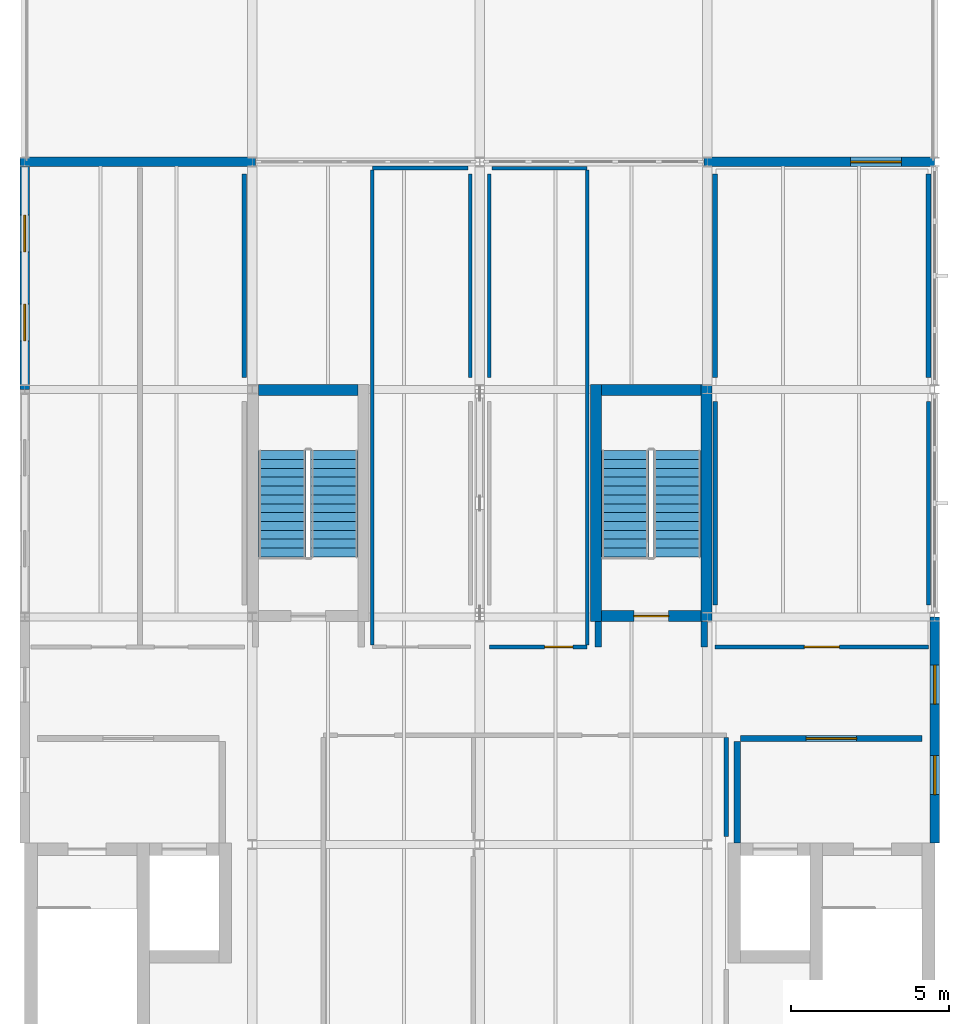
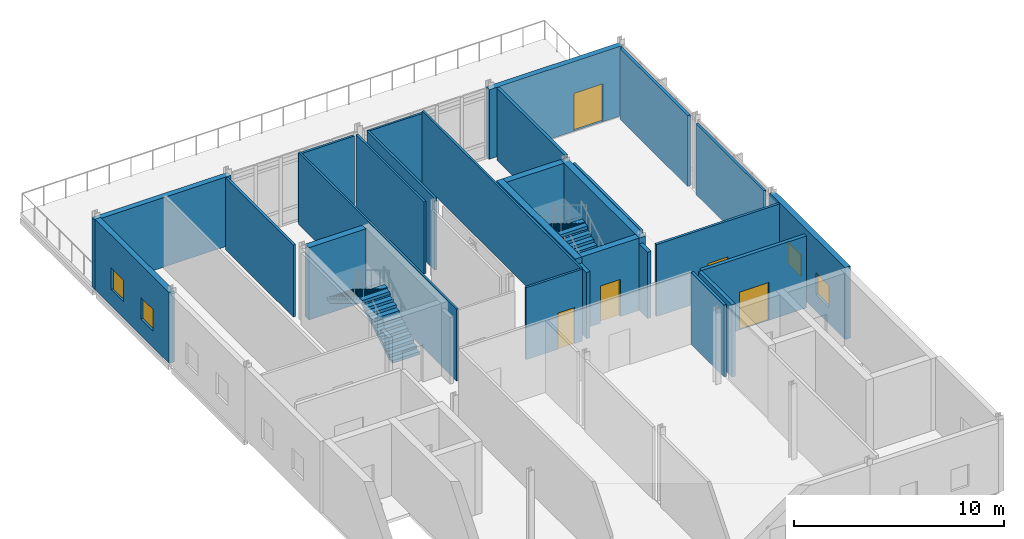
# One storey, part 9 of 12: 27 walls, 5 doors, 4 stair flights, 4 windows, 9 openings, 2 elements without a shape of their own.
"""IFC4 building model written with IfcOpenShell, lengths in metres."""

from ifc_helpers import new_model, si_unit, direction, frame, frame_2d, origin, place, context, subcontext, project, spatial, polyline, rectangle, outline, extrude, material, layer, layer_set, type_object, element, fill, aggregate, save


model = new_model("IFC4")

# Units and contexts
model_context = context("Model", 3, precision=1e-05, world=origin(), true_north=direction((0.0, 1.0)))
body_context = subcontext(model_context, "Body", "Model", "MODEL_VIEW")
ifc_project = project(units=[si_unit("LENGTHUNIT", "METRE"), si_unit("AREAUNIT", "SQUARE_METRE"), si_unit("VOLUMEUNIT", "CUBIC_METRE"), si_unit("PLANEANGLEUNIT", "RADIAN"), si_unit("MASSUNIT", "GRAM", prefix="KILO")], contexts=[model_context])

# Site, building, storey
site_placement = place(None, origin())
site = spatial("IfcSite", under=ifc_project, at=site_placement, CompositionType="ELEMENT")
building_placement = place(site_placement, origin())
building = spatial("IfcBuilding", under=site, at=building_placement, Name="Zarrinpeak Specialist Clinic", CompositionType="ELEMENT")
storey_placement = place(building_placement, frame((0.0, 0.0, 27.199951171875)))
storey = spatial("IfcBuildingStorey", under=building, at=storey_placement, Name="L06", CompositionType="ELEMENT", Elevation=27.199951171875)

# Wall
ifc_material_1 = material(Name="Concrete C40/50", Category="concrete")
ifc_layer_1 = layer(ifc_material_1, 0.35009765625)
ifc_layer_set_1 = layer_set([ifc_layer_1], Name="Concrete C40/50")
wall_type_1 = type_object("IfcWallType", Name="WL-CR350", PredefinedType="SHEAR", material=ifc_layer_set_1)
wall_1_placement = place(storey_placement, frame((7.39990234375, 28.77490234375, 0.0), z_axis=(0.0, 0.0, 1.0), x_axis=(1.0, 0.0, 0.0)))
element("IfcWall", 1, at=wall_1_placement, inside=storey, type_object=wall_type_1, Name="L06 Attic Stair ST-13 Shaft Wall STN", PredefinedType="SHEAR", context=body_context, shape_type="SweptSolid", body=[
    extrude(rectangle(XDim=3.150146484375, YDim=0.35009765625, at=frame_2d((1.5751953125, 0.0))), origin(), (0.0, 0.0, 1.0), 4.199951171875),
])

# Wall, opening, door
wall_2_placement = place(storey_placement, frame((18.25, 21.625, 0.0), z_axis=(0.0, 0.0, 1.0), x_axis=(1.0, 0.0, 0.0)))
wall_2 = element("IfcWall", 2, at=wall_2_placement, inside=storey, type_object=wall_type_1, Name="L06 Attic Stair ST-14 Shaft Wall STS", PredefinedType="SHEAR", context=body_context, shape_type="SweptSolid", body=[
    extrude(rectangle(XDim=3.14990234375, YDim=0.35009765625, at=frame_2d((1.574951171875, 0.0))), origin(), (0.0, 0.0, 1.0), 4.199951171875),
])
opening_1_placement = place(wall_2_placement, frame((1.02490234375, 0.0, 0.0)))
opening_1 = element("IfcOpeningElement", 3, at=opening_1_placement, cuts=wall_2, Name="Opening D-S02", PredefinedType="OPENING", context=body_context, shape_type="SweptSolid", body=[
    extrude(rectangle(XDim=1.10009765625, YDim=2.14990234375, at=frame_2d((0.550048828125, 1.074951171875))), frame((0.0, 0.18505859375, 0.0), z_axis=(0.0, -1.0, 0.0), x_axis=(1.0, 0.0, 0.0)), (0.0, 0.0, 1.0), 0.3701171875),
])
ifc_material_2 = material(Name="Powder-Coated Galvanised Steel", Category="steel")
door_type_1 = type_object("IfcDoorType", Name="DR-FD110", OperationType="SINGLE_SWING_RIGHT", PredefinedType="DOOR", material=ifc_material_2)
door_1_placement = place(opening_1_placement, frame((1.10009765625, 0.0, 0.0), z_axis=(0.0, 0.0, 1.0), x_axis=(-1.0, 0.0, 0.0)))
door_1 = element("IfcDoor", 4, at=door_1_placement, inside=storey, type_object=door_type_1, Name="L06 Protected Attic Exit Stair ST-14 Fire Door", OperationType="SINGLE_SWING_RIGHT", OverallHeight=2.14990234375, OverallWidth=1.10009765625, PredefinedType="DOOR", context=body_context, shape_type="SweptSolid", body=[
    extrude(rectangle(XDim=1.10009765625, YDim=2.14990234375, at=frame_2d((0.550048828125, 1.074951171875))), frame((0.0, 0.02490234375, 0.0), z_axis=(0.0, -1.0, 0.0), x_axis=(1.0, 0.0, 0.0)), (0.0, 0.0, 1.0), 0.050048828125),
])
fill(opening_1, door_1)

# Walls
wall_3_placement = place(storey_placement, frame((18.25, 28.77490234375, 0.0), z_axis=(0.0, 0.0, 1.0), x_axis=(1.0, 0.0, 0.0)))
element("IfcWall", 5, at=wall_3_placement, inside=storey, type_object=wall_type_1, Name="L06 Attic Stair ST-14 Shaft Wall STN", PredefinedType="SHEAR", context=body_context, shape_type="SweptSolid", body=[
    extrude(rectangle(XDim=3.14990234375, YDim=0.35009765625, at=frame_2d((1.574951171875, 0.0))), origin(), (0.0, 0.0, 1.0), 4.199951171875),
])
for number, where, z_axis, x_axis, name in (
    (6, (18.074951171875, 21.449951171875, 0.0), (0.0, 0.0, 1.0), (0.0, 1.0, 0.0), "L06 Attic Stair ST-14 Shaft Wall STW"),
    (7, (21.574951171875, 21.449951171875, 0.0), (0.0, 0.0, 1.0), (0.0, 1.0, 0.0), "L06 Attic Stair ST-14 Shaft Wall STE"),
):
    element("IfcWall", number, at=place(storey_placement, frame(where, z_axis=z_axis, x_axis=x_axis)), inside=storey, type_object=wall_type_1, Name=name, PredefinedType="SHEAR", context=body_context, shape_type="SweptSolid", body=[
        extrude(rectangle(XDim=7.5, YDim=0.35009765625, at=frame_2d((3.75, 0.0))), origin(), (0.0, 0.0, 1.0), 4.199951171875),
    ])
ifc_material_3 = material(Name="Precast concrete C40/50", Category="concrete")
ifc_layer_2 = layer(ifc_material_3, 0.300048828125)
ifc_layer_set_2 = layer_set([ifc_layer_2], Name="Precast concrete C40/50")
wall_type_2 = type_object("IfcWallType", Name="WL-EW300", PredefinedType="STANDARD", material=ifc_layer_set_2)
wall_4_placement = place(storey_placement, frame((7.31005859375, 36.0, 0.0), z_axis=(0.0, 0.0, 1.0), x_axis=(-1.0, 0.0, 0.0)))
element("IfcWall", 8, at=wall_4_placement, inside=storey, type_object=wall_type_2, Name="L06 V1 Exterior GRC Wall EW-L06-V1-0088", PredefinedType="STANDARD", context=body_context, shape_type="SweptSolid", body=[
    extrude(rectangle(XDim=7.4599609375, YDim=0.300048828125, at=frame_2d((3.72998046875, 0.0))), origin(), (0.0, 0.0, 1.0), 4.03515625),
])

# Wall, opening, door
wall_5_placement = place(storey_placement, frame((28.800048828125, 36.0, 0.0), z_axis=(0.0, 0.0, 1.0), x_axis=(-1.0, 0.0, 0.0)))
wall_5 = element("IfcWall", 9, at=wall_5_placement, inside=storey, type_object=wall_type_2, Name="L06 V1 Exterior GRC Wall EW-L06-V1-0089", PredefinedType="STANDARD", context=body_context, shape_type="SweptSolid", body=[
    extrude(rectangle(XDim=7.31005859375, YDim=0.300048828125, at=frame_2d((3.655029296875, 0.0))), origin(), (0.0, 0.0, 1.0), 4.03515625),
])
opening_2_placement = place(wall_5_placement, frame((1.06201171875, 0.0, 0.0)))
opening_2 = element("IfcOpeningElement", 10, at=opening_2_placement, cuts=wall_5, Name="Opening D-TR2", PredefinedType="OPENING", context=body_context, shape_type="SweptSolid", body=[
    extrude(rectangle(XDim=1.60009765625, YDim=2.199951171875, at=frame_2d((0.800048828125, 1.10009765625))), frame((0.0, 0.16015625, 0.0), z_axis=(0.0, -1.0, 0.0), x_axis=(1.0, 0.0, 0.0)), (0.0, 0.0, 1.0), 0.320068359375),
])
ifc_material_4 = material(Name="Powder-Coated Steel and Safety Glazing", Category="steel")
door_type_2 = type_object("IfcDoorType", Name="DR-TER160", OperationType="DOUBLE_DOOR_SINGLE_SWING", PredefinedType="DOOR", material=ifc_material_4)
door_2_placement = place(opening_2_placement, origin())
door_2 = element("IfcDoor", 11, at=door_2_placement, inside=storey, type_object=door_type_2, Name="L06 V1 Healing Terrace Access Door TD-02", OperationType="DOUBLE_DOOR_SINGLE_SWING", OverallHeight=2.199951171875, OverallWidth=1.60009765625, PredefinedType="DOOR", context=body_context, shape_type="SweptSolid", body=[
    extrude(rectangle(XDim=1.60009765625, YDim=2.199951171875, at=frame_2d((0.800048828125, 1.10009765625))), frame((0.0, 0.02490234375, 0.0), z_axis=(0.0, -1.0, 0.0), x_axis=(1.0, 0.0, 0.0)), (0.0, 0.0, 1.0), 0.050048828125),
])
fill(opening_2, door_2)

# Wall, openings, windows
wall_6_placement = place(storey_placement, frame((0.0, 35.85009765625, 0.0), z_axis=(0.0, 0.0, 1.0), x_axis=(0.0, -1.0, 0.0)))
wall_6 = element("IfcWall", 12, at=wall_6_placement, inside=storey, type_object=wall_type_2, Name="L06 V1 Exterior GRC Wall EW-L06-V1-0093", PredefinedType="STANDARD", context=body_context, shape_type="SweptSolid", body=[
    extrude(rectangle(XDim=7.050048828125, YDim=0.300048828125, at=frame_2d((3.52490234375, 0.0))), origin(), (0.0, 0.0, 1.0), 4.110107421875),
])
opening_3_placement = place(wall_6_placement, frame((1.531982421875, 0.0, 0.949951171875)))
opening_3 = element("IfcOpeningElement", 13, at=opening_3_placement, cuts=wall_6, Name="Opening WS-10", PredefinedType="OPENING", context=body_context, shape_type="SweptSolid", body=[
    extrude(rectangle(XDim=1.166015625, YDim=1.260009765625, at=frame_2d((0.5830078125, 0.6298828125))), frame((0.0, 0.16015625, 0.0), z_axis=(0.0, -1.0, 0.0), x_axis=(1.0, 0.0, 0.0)), (0.0, 0.0, 1.0), 0.320068359375),
])
opening_4_placement = place(wall_6_placement, frame((4.35205078125, 0.0, 0.949951171875)))
opening_4 = element("IfcOpeningElement", 14, at=opening_4_placement, cuts=wall_6, Name="Opening WS-10", PredefinedType="OPENING", context=body_context, shape_type="SweptSolid", body=[
    extrude(rectangle(XDim=1.166015625, YDim=1.260009765625, at=frame_2d((0.5830078125, 0.6298828125))), frame((0.0, 0.16015625, 0.0), z_axis=(0.0, -1.0, 0.0), x_axis=(1.0, 0.0, 0.0)), (0.0, 0.0, 1.0), 0.320068359375),
])
ifc_material_5 = material(Name="Thermally Broken Aluminium and Low-E Glazing", Category="aluminium")
window_type_1 = type_object("IfcWindowType", Name="WN-SP10", PartitioningType="SINGLE_PANEL", PredefinedType="WINDOW", material=ifc_material_5)
window_1_placement = place(opening_3_placement, origin())
window_1 = element("IfcWindow", 15, at=window_1_placement, inside=storey, type_object=window_type_1, Name="L06 Modular Facade Window WN-L06-0133", OverallHeight=1.260009765625, OverallWidth=1.166015625, PartitioningType="SINGLE_PANEL", PredefinedType="WINDOW", context=body_context, shape_type="SweptSolid", body=[
    extrude(rectangle(XDim=1.166015625, YDim=1.260009765625, at=frame_2d((0.5830078125, 0.6298828125))), frame((0.0, 0.030029296875, 0.0), z_axis=(0.0, -1.0, 0.0), x_axis=(1.0, 0.0, 0.0)), (0.0, 0.0, 1.0), 0.06005859375),
])
fill(opening_3, window_1)
window_2_placement = place(opening_4_placement, origin())
window_2 = element("IfcWindow", 16, at=window_2_placement, inside=storey, type_object=window_type_1, Name="L06 Modular Facade Window WN-L06-0134", OverallHeight=1.260009765625, OverallWidth=1.166015625, PartitioningType="SINGLE_PANEL", PredefinedType="WINDOW", context=body_context, shape_type="SweptSolid", body=[
    extrude(rectangle(XDim=1.166015625, YDim=1.260009765625, at=frame_2d((0.5830078125, 0.6298828125))), frame((0.0, 0.030029296875, 0.0), z_axis=(0.0, -1.0, 0.0), x_axis=(1.0, 0.0, 0.0)), (0.0, 0.0, 1.0), 0.06005859375),
])
fill(opening_4, window_2)

wall_7_placement = place(storey_placement, frame((28.800048828125, 14.449951171875, 0.0), z_axis=(0.0, 0.0, 1.0), x_axis=(0.0, 1.0, 0.0)))
wall_7 = element("IfcWall", 17, at=wall_7_placement, inside=storey, type_object=wall_type_2, Name="L06 V1 Exterior GRC Wall EW-L06-V1-0095", PredefinedType="STANDARD", context=body_context, shape_type="SweptSolid", body=[
    extrude(rectangle(XDim=7.150146484375, YDim=0.300048828125, at=frame_2d((3.5751953125, 0.0))), origin(), (0.0, 0.0, 1.0), 4.179931640625),
])
opening_5_placement = place(wall_7_placement, frame((1.528076171875, 0.0, 0.949951171875)))
opening_5 = element("IfcOpeningElement", 18, at=opening_5_placement, cuts=wall_7, Name="Opening WS-12", PredefinedType="OPENING", context=body_context, shape_type="SweptSolid", body=[
    extrude(rectangle(XDim=1.23388671875, YDim=1.260009765625, at=frame_2d((0.616943359375, 0.6298828125))), frame((0.0, 0.16015625, 0.0), z_axis=(0.0, -1.0, 0.0), x_axis=(1.0, 0.0, 0.0)), (0.0, 0.0, 1.0), 0.320068359375),
])
opening_6_placement = place(wall_7_placement, frame((4.387939453125, 0.0, 0.949951171875)))
opening_6 = element("IfcOpeningElement", 19, at=opening_6_placement, cuts=wall_7, Name="Opening WS-12", PredefinedType="OPENING", context=body_context, shape_type="SweptSolid", body=[
    extrude(rectangle(XDim=1.23388671875, YDim=1.260009765625, at=frame_2d((0.616943359375, 0.6298828125))), frame((0.0, 0.16015625, 0.0), z_axis=(0.0, -1.0, 0.0), x_axis=(1.0, 0.0, 0.0)), (0.0, 0.0, 1.0), 0.320068359375),
])
window_type_2 = type_object("IfcWindowType", Name="WN-SP12", PartitioningType="SINGLE_PANEL", PredefinedType="WINDOW", material=ifc_material_5)
window_3_placement = place(opening_5_placement, origin())
window_3 = element("IfcWindow", 20, at=window_3_placement, inside=storey, type_object=window_type_2, Name="L06 Modular Facade Window WN-L06-0136", OverallHeight=1.260009765625, OverallWidth=1.23388671875, PartitioningType="SINGLE_PANEL", PredefinedType="WINDOW", context=body_context, shape_type="SweptSolid", body=[
    extrude(rectangle(XDim=1.23388671875, YDim=1.260009765625, at=frame_2d((0.616943359375, 0.6298828125))), frame((0.0, 0.030029296875, 0.0), z_axis=(0.0, -1.0, 0.0), x_axis=(1.0, 0.0, 0.0)), (0.0, 0.0, 1.0), 0.06005859375),
])
fill(opening_5, window_3)
window_4_placement = place(opening_6_placement, origin())
window_4 = element("IfcWindow", 21, at=window_4_placement, inside=storey, type_object=window_type_2, Name="L06 Modular Facade Window WN-L06-0137", OverallHeight=1.260009765625, OverallWidth=1.23388671875, PartitioningType="SINGLE_PANEL", PredefinedType="WINDOW", context=body_context, shape_type="SweptSolid", body=[
    extrude(rectangle(XDim=1.23388671875, YDim=1.260009765625, at=frame_2d((0.616943359375, 0.6298828125))), frame((0.0, 0.030029296875, 0.0), z_axis=(0.0, -1.0, 0.0), x_axis=(1.0, 0.0, 0.0)), (0.0, 0.0, 1.0), 0.06005859375),
])
fill(opening_6, window_4)

# Walls
ifc_material_6 = material(Name="Sanitary Service Chase Plumbing Wall", Category="gypsum")
ifc_layer_3 = layer(ifc_material_6, 0.110107421875)
ifc_layer_set_3 = layer_set([ifc_layer_3], Name="Sanitary Service Chase Plumbing Wall")
wall_type_3 = type_object("IfcWallType", Name="WL-IW110", PredefinedType="PARTITIONING", material=ifc_layer_set_3)
wall_8_placement = place(storey_placement, frame((14.780029296875, 35.800048828125, 0.0), z_axis=(0.0, 0.0, 1.0), x_axis=(1.0, 0.0, 0.0)))
element("IfcWall", 22, at=wall_8_placement, inside=storey, type_object=wall_type_3, Name="L06 Executive Washroom Partition", PredefinedType="PARTITIONING", context=body_context, shape_type="SweptSolid", body=[
    extrude(rectangle(XDim=3.02001953125, YDim=0.110107421875, at=frame_2d((1.510009765625, 0.0))), origin(), (0.0, 0.0, 1.0), 4.03515625),
])
wall_9_placement = place(storey_placement, frame((11.0, 20.705078125, 0.0), z_axis=(0.0, 0.0, 1.0), x_axis=(0.0, 1.0, 0.0)))
element("IfcWall", 23, at=wall_9_placement, inside=storey, type_object=wall_type_3, Name="L06 Accessible Staff WC Dividing Partition", PredefinedType="PARTITIONING", context=body_context, shape_type="SweptSolid", body=[
    extrude(rectangle(XDim=15.032470703125, YDim=0.110107421875, at=frame_2d((7.51611328125, 0.0))), origin(), (0.0, 0.0, 1.0), 4.179931640625),
])
wall_10_placement = place(storey_placement, frame((14.10009765625, 29.179931640625, 0.0), z_axis=(0.0, 0.0, 1.0), x_axis=(0.0, 1.0, 0.0)))
element("IfcWall", 24, at=wall_10_placement, inside=storey, type_object=wall_type_3, Name="L06 Accessible Staff WC Dividing Partition", PredefinedType="PARTITIONING", context=body_context, shape_type="SweptSolid", body=[
    extrude(rectangle(XDim=6.440185546875, YDim=0.110107421875, at=frame_2d((3.22021484375, 0.0))), origin(), (0.0, 0.0, 1.0), 4.179931640625),
])
wall_11_placement = place(storey_placement, frame((17.800048828125, 20.71240234375, 0.0), z_axis=(0.0, 0.0, 1.0), x_axis=(0.0, 1.0, 0.0)))
element("IfcWall", 25, at=wall_11_placement, inside=storey, type_object=wall_type_3, Name="L06 Executive Washroom Dividing Partition", PredefinedType="PARTITIONING", context=body_context, shape_type="SweptSolid", body=[
    extrude(rectangle(XDim=15.03271484375, YDim=0.110107421875, at=frame_2d((7.516357421875, 0.0))), origin(), (0.0, 0.0, 1.0), 4.179931640625),
])

# Wall, opening, door
ifc_material_7 = material(Name="Moisture-Resistant Wet-Room Partition", Category="gypsum")
ifc_layer_4 = layer(ifc_material_7, 0.125)
ifc_layer_set_4 = layer_set([ifc_layer_4], Name="Moisture-Resistant Wet-Room Partition")
wall_type_4 = type_object("IfcWallType", Name="WL-IW125W", PredefinedType="PARTITIONING", material=ifc_layer_set_4)
wall_12_placement = place(storey_placement, frame((14.699951171875, 20.64990234375, 0.0), z_axis=(0.0, 0.0, 1.0), x_axis=(1.0, 0.0, 0.0)))
wall_12 = element("IfcWall", 26, at=wall_12_placement, inside=storey, type_object=wall_type_4, Name="L06 Executive Washroom Partition", PredefinedType="PARTITIONING", context=body_context, shape_type="SweptSolid", body=[
    extrude(rectangle(XDim=3.10009765625, YDim=0.125, at=frame_2d((1.550048828125, 0.0))), origin(), (0.0, 0.0, 1.0), 4.179931640625),
])
opening_7_placement = place(wall_12_placement, frame((1.75, 0.0, 0.0)))
opening_7 = element("IfcOpeningElement", 27, at=opening_7_placement, cuts=wall_12, Name="Opening D-W01", PredefinedType="OPENING", context=body_context, shape_type="SweptSolid", body=[
    extrude(rectangle(XDim=0.89990234375, YDim=2.10009765625, at=frame_2d((0.449951171875, 1.050048828125))), frame((0.0, 0.072509765625, 0.0), z_axis=(0.0, -1.0, 0.0), x_axis=(1.0, 0.0, 0.0)), (0.0, 0.0, 1.0), 0.14501953125),
])
door_type_3 = type_object("IfcDoorType", Name="DR-WC90", OperationType="SINGLE_SWING_RIGHT", PredefinedType="DOOR", material=ifc_material_2)
door_3_placement = place(opening_7_placement, frame((0.89990234375, 0.0, 0.0), z_axis=(0.0, 0.0, 1.0), x_axis=(-1.0, 0.0, 0.0)))
door_3 = element("IfcDoor", 28, at=door_3_placement, inside=storey, type_object=door_type_3, Name="L06 Executive Washroom Door", OperationType="SINGLE_SWING_RIGHT", OverallHeight=2.10009765625, OverallWidth=0.89990234375, PredefinedType="DOOR", context=body_context, shape_type="SweptSolid", body=[
    extrude(rectangle(XDim=0.89990234375, YDim=2.10009765625, at=frame_2d((0.449951171875, 1.050048828125))), frame((0.0, 0.02490234375, 0.0), z_axis=(0.0, -1.0, 0.0), x_axis=(1.0, 0.0, 0.0)), (0.0, 0.0, 1.0), 0.050048828125),
])
fill(opening_7, door_3)

# Walls
wall_13_placement = place(storey_placement, frame((11.0, 35.800048828125, 0.0), z_axis=(0.0, 0.0, 1.0), x_axis=(1.0, 0.0, 0.0)))
element("IfcWall", 29, at=wall_13_placement, inside=storey, type_object=wall_type_4, Name="L06 Accessible Staff WC Partition", PredefinedType="PARTITIONING", context=body_context, shape_type="SweptSolid", body=[
    extrude(rectangle(XDim=3.02001953125, YDim=0.125, at=frame_2d((1.510009765625, 0.0))), origin(), (0.0, 0.0, 1.0), 4.03515625),
])
wall_14_placement = place(storey_placement, frame((14.699951171875, 29.179931640625, 0.0), z_axis=(0.0, 0.0, 1.0), x_axis=(0.0, 1.0, 0.0)))
element("IfcWall", 30, at=wall_14_placement, inside=storey, type_object=wall_type_4, Name="L06 Executive Washroom Dividing Partition", PredefinedType="PARTITIONING", context=body_context, shape_type="SweptSolid", body=[
    extrude(rectangle(XDim=6.440185546875, YDim=0.125, at=frame_2d((3.22021484375, 0.0))), origin(), (0.0, 0.0, 1.0), 4.179931640625),
])

# Wall, opening, door
ifc_material_8 = material(Name="Standard Drywall Partition", Category="gypsum")
ifc_layer_5 = layer(ifc_material_8, 0.135009765625)
ifc_layer_set_5 = layer_set([ifc_layer_5], Name="Standard Drywall Partition")
wall_type_5 = type_object("IfcWallType", Name="WL-IW135", PredefinedType="PARTITIONING", material=ifc_layer_set_5)
wall_15_placement = place(storey_placement, frame((21.85009765625, 20.64990234375, 0.0), z_axis=(0.0, 0.0, 1.0), x_axis=(1.0, 0.0, 0.0)))
wall_15 = element("IfcWall", 31, at=wall_15_placement, inside=storey, type_object=wall_type_5, Name="L06 Specialist Consultation Room 1 Partition", PredefinedType="PARTITIONING", context=body_context, shape_type="SweptSolid", body=[
    extrude(rectangle(XDim=6.75, YDim=0.135009765625, at=frame_2d((3.375, 0.0))), origin(), (0.0, 0.0, 1.0), 4.179931640625),
])
opening_8_placement = place(wall_15_placement, frame((2.818115234375, 0.0, 0.0)))
opening_8 = element("IfcOpeningElement", 32, at=opening_8_placement, cuts=wall_15, Name="Opening DS-36", PredefinedType="OPENING", context=body_context, shape_type="SweptSolid", body=[
    extrude(rectangle(XDim=1.114013671875, YDim=2.095947265625, at=frame_2d((0.55712890625, 1.0478515625))), frame((0.0, 0.07763671875, 0.0), z_axis=(0.0, -1.0, 0.0), x_axis=(1.0, 0.0, 0.0)), (0.0, 0.0, 1.0), 0.155029296875),
])
door_type_4 = type_object("IfcDoorType", Name="DR-SP36", OperationType="SINGLE_SWING_LEFT", PredefinedType="DOOR", material=ifc_material_2)
door_4_placement = place(opening_8_placement, frame((1.114013671875, 0.0, 0.0), z_axis=(0.0, 0.0, 1.0), x_axis=(-1.0, 0.0, 0.0)))
door_4 = element("IfcDoor", 33, at=door_4_placement, inside=storey, type_object=door_type_4, Name="L06 Specialist Consultation Room 1 Door", OperationType="SINGLE_SWING_LEFT", OverallHeight=2.095947265625, OverallWidth=1.114013671875, PredefinedType="DOOR", context=body_context, shape_type="SweptSolid", body=[
    extrude(rectangle(XDim=1.114013671875, YDim=2.095947265625, at=frame_2d((0.55712890625, 1.0478515625))), frame((0.0, 0.02490234375, 0.0), z_axis=(0.0, -1.0, 0.0), x_axis=(1.0, 0.0, 0.0)), (0.0, 0.0, 1.0), 0.050048828125),
])
fill(opening_8, door_4)

# Walls
wall_16_placement = place(storey_placement, frame((6.949951171875, 29.179931640625, 0.0), z_axis=(0.0, 0.0, 1.0), x_axis=(0.0, 1.0, 0.0)))
element("IfcWall", 34, at=wall_16_placement, inside=storey, type_object=wall_type_5, Name="L06 Senior Consultants Shared Office Dividing Partition", PredefinedType="PARTITIONING", context=body_context, shape_type="SweptSolid", body=[
    extrude(rectangle(XDim=6.440185546875, YDim=0.135009765625, at=frame_2d((3.22021484375, 0.0))), origin(), (0.0, 0.0, 1.0), 4.179931640625),
])
wall_17_placement = place(storey_placement, frame((21.85009765625, 21.97998046875, 0.0), z_axis=(0.0, 0.0, 1.0), x_axis=(0.0, 1.0, 0.0)))
element("IfcWall", 35, at=wall_17_placement, inside=storey, type_object=wall_type_5, Name="L06 Specialist Consultation Room 1 Dividing Partition", PredefinedType="PARTITIONING", context=body_context, shape_type="SweptSolid", body=[
    extrude(rectangle(XDim=6.43994140625, YDim=0.135009765625, at=frame_2d((3.219970703125, 0.0))), origin(), (0.0, 0.0, 1.0), 4.179931640625),
])
wall_18_placement = place(storey_placement, frame((28.60009765625, 21.97998046875, 0.0), z_axis=(0.0, 0.0, 1.0), x_axis=(0.0, 1.0, 0.0)))
element("IfcWall", 36, at=wall_18_placement, inside=storey, type_object=wall_type_5, Name="L06 Specialist Consultation Room 1 Dividing Partition", PredefinedType="PARTITIONING", context=body_context, shape_type="SweptSolid", body=[
    extrude(rectangle(XDim=6.43994140625, YDim=0.135009765625, at=frame_2d((3.219970703125, 0.0))), origin(), (0.0, 0.0, 1.0), 4.110107421875),
])
ifc_material_9 = material(Name="Acoustic Consultation Stud Partition", Category="gypsum")
ifc_layer_6 = layer(ifc_material_9, 0.14208984375)
ifc_layer_set_6 = layer_set([ifc_layer_6], Name="Acoustic Consultation Stud Partition")
wall_type_6 = type_object("IfcWallType", Name="WL-IW142", PredefinedType="PARTITIONING", material=ifc_layer_set_6)
wall_19_placement = place(storey_placement, frame((22.199951171875, 14.64990234375, 0.0), z_axis=(0.0, 0.0, 1.0), x_axis=(0.0, 1.0, 0.0)))
element("IfcWall", 37, at=wall_19_placement, inside=storey, type_object=wall_type_6, Name="L06 Specialist Consultation Room 2 Dividing Partition", PredefinedType="PARTITIONING", context=body_context, shape_type="SweptSolid", body=[
    extrude(rectangle(XDim=3.129150390625, YDim=0.14208984375, at=frame_2d((1.564453125, 0.0))), origin(), (0.0, 0.0, 1.0), 4.179931640625),
])
ifc_material_10 = material(Name="Acoustic Double Gypsum Stud Partition", Category="gypsum")
ifc_layer_7 = layer(ifc_material_10, 0.159912109375)
ifc_layer_set_7 = layer_set([ifc_layer_7], Name="Acoustic Double Gypsum Stud Partition")
wall_type_7 = type_object("IfcWallType", Name="WL-IW160", PredefinedType="PARTITIONING", material=ifc_layer_set_7)
wall_20_placement = place(storey_placement, frame((21.85009765625, 29.179931640625, 0.0), z_axis=(0.0, 0.0, 1.0), x_axis=(0.0, 1.0, 0.0)))
element("IfcWall", 38, at=wall_20_placement, inside=storey, type_object=wall_type_7, Name="L06 Specialist Consultation Room 1 Dividing Partition", PredefinedType="PARTITIONING", context=body_context, shape_type="SweptSolid", body=[
    extrude(rectangle(XDim=6.440185546875, YDim=0.159912109375, at=frame_2d((3.22021484375, 0.0))), origin(), (0.0, 0.0, 1.0), 4.179931640625),
])
wall_21_placement = place(storey_placement, frame((28.60009765625, 29.179931640625, 0.0), z_axis=(0.0, 0.0, 1.0), x_axis=(0.0, 1.0, 0.0)))
element("IfcWall", 39, at=wall_21_placement, inside=storey, type_object=wall_type_7, Name="L06 Specialist Consultation Room 1 Dividing Partition", PredefinedType="PARTITIONING", context=body_context, shape_type="SweptSolid", body=[
    extrude(rectangle(XDim=6.440185546875, YDim=0.159912109375, at=frame_2d((3.22021484375, 0.0))), origin(), (0.0, 0.0, 1.0), 4.110107421875),
])

# Wall, opening, door
ifc_material_11 = material(Name="Autoclaved Aerated Concrete Blockwork", Category="masonry")
ifc_layer_8 = layer(ifc_material_11, 0.199951171875)
ifc_layer_set_8 = layer_set([ifc_layer_8], Name="Autoclaved Aerated Concrete Blockwork")
wall_type_8 = type_object("IfcWallType", Name="WL-IW200", PredefinedType="PARTITIONING", material=ifc_layer_set_8)
wall_22_placement = place(storey_placement, frame((22.64990234375, 17.75, 0.0), z_axis=(0.0, 0.0, 1.0), x_axis=(1.0, 0.0, 0.0)))
wall_22 = element("IfcWall", 40, at=wall_22_placement, inside=storey, type_object=wall_type_8, Name="L06 C02 Protected Lobby Partition LBF", PredefinedType="PARTITIONING", context=body_context, shape_type="SweptSolid", body=[
    extrude(rectangle(XDim=5.75, YDim=0.199951171875, at=frame_2d((2.875, 0.0))), origin(), (0.0, 0.0, 1.0), 4.179931640625),
])
opening_9_placement = place(wall_22_placement, frame((2.074951171875, 0.0, 0.0)))
opening_9 = element("IfcOpeningElement", 41, at=opening_9_placement, cuts=wall_22, Name="Opening D-L01", PredefinedType="OPENING", context=body_context, shape_type="SweptSolid", body=[
    extrude(rectangle(XDim=1.60009765625, YDim=2.199951171875, at=frame_2d((0.800048828125, 1.10009765625))), frame((0.0, 0.10986328125, 0.0), z_axis=(0.0, -1.0, 0.0), x_axis=(1.0, 0.0, 0.0)), (0.0, 0.0, 1.0), 0.219970703125),
])
door_type_5 = type_object("IfcDoorType", Name="DR-LB160", OperationType="DOUBLE_DOOR_SINGLE_SWING", PredefinedType="DOOR", material=ifc_material_2)
door_5_placement = place(opening_9_placement, origin())
door_5 = element("IfcDoor", 42, at=door_5_placement, inside=storey, type_object=door_type_5, Name="L06 C02 Lobby Hold-Open Fire Door", OperationType="DOUBLE_DOOR_SINGLE_SWING", OverallHeight=2.199951171875, OverallWidth=1.60009765625, PredefinedType="DOOR", context=body_context, shape_type="SweptSolid", body=[
    extrude(rectangle(XDim=1.60009765625, YDim=2.199951171875, at=frame_2d((0.800048828125, 1.10009765625))), frame((0.0, 0.02490234375, 0.0), z_axis=(0.0, -1.0, 0.0), x_axis=(1.0, 0.0, 0.0)), (0.0, 0.0, 1.0), 0.050048828125),
])
fill(opening_9, door_5)

# Walls
wall_23_placement = place(storey_placement, frame((22.550048828125, 14.449951171875, 0.0), z_axis=(0.0, 0.0, 1.0), x_axis=(0.0, 1.0, 0.0)))
element("IfcWall", 43, at=wall_23_placement, inside=storey, type_object=wall_type_8, Name="L06 C02 Protected Lobby Partition LBW", PredefinedType="PARTITIONING", context=body_context, shape_type="SweptSolid", body=[
    extrude(rectangle(XDim=3.199951171875, YDim=0.199951171875, at=frame_2d((1.60009765625, 0.0))), origin(), (0.0, 0.0, 1.0), 4.179931640625),
])
for number, where, z_axis, x_axis, name in (
    (44, (18.14990234375, 20.64990234375, 0.0), (0.0, 0.0, 1.0), (0.0, 1.0, 0.0), "L06 Attic Stair ST-14 Vestibule Wall VW"),
    (45, (21.5, 20.64990234375, 0.0), (0.0, 0.0, 1.0), (0.0, 1.0, 0.0), "L06 Attic Stair ST-14 Vestibule Wall VE"),
):
    element("IfcWall", number, at=place(storey_placement, frame(where, z_axis=z_axis, x_axis=x_axis)), inside=storey, type_object=wall_type_8, Name=name, PredefinedType="PARTITIONING", context=body_context, shape_type="SweptSolid", body=[
        extrude(rectangle(XDim=0.800048828125, YDim=0.199951171875, at=frame_2d((0.39990234375, 0.0))), origin(), (0.0, 0.0, 1.0), 3.85009765625),
    ])

# Stair, stair flights
ifc_material_12 = material(Name="Concrete C35/45", Category="concrete")
stair_type = type_object("IfcStairType", Name="ST-DOG", PredefinedType="HALF_TURN_STAIR", material=ifc_material_12)
stair_1_placement = place(storey_placement, origin())
stair_1 = element("IfcStair", 46, at=stair_1_placement, inside=storey, type_object=stair_type, Name="L06 Protected Attic Exit Stair ST-13", PredefinedType="HALF_TURN_STAIR")
stair_flight_type = type_object("IfcStairFlightType", Name="STF-150", PredefinedType="STRAIGHT", material=ifc_material_12)
stair_flight_1_placement = place(storey_placement, frame((9.800048828125, 23.5, 0.0), z_axis=(0.0, 0.0, 1.0), x_axis=(0.0, 1.0, 0.0)))
stair_flight_1 = element("IfcStairFlight", 47, at=stair_flight_1_placement, type_object=stair_flight_type, Name="ST-13 flight 1", NumberOfRisers=13, NumberOfTreads=12, PredefinedType="STRAIGHT", RiserHeight=0.169230769, TreadLength=0.28, context=body_context, shape_type="SweptSolid", body=[
    extrude(outline(polyline([(0.0, 0.0), (0.0, 0.169189453125), (0.280029296875, 0.169189453125), (0.280029296875, 0.33837890625), (0.56005859375, 0.33837890625), (0.56005859375, 0.5078125), (0.840087890625, 0.5078125), (0.840087890625, 0.677001953125), (1.1201171875, 0.677001953125), (1.1201171875, 0.84619140625), (1.39990234375, 0.84619140625), (1.39990234375, 1.015380859375), (1.679931640625, 1.015380859375), (1.679931640625, 1.1845703125), (1.9599609375, 1.1845703125), (1.9599609375, 1.353759765625), (2.239990234375, 1.353759765625), (2.239990234375, 1.523193359375), (2.52001953125, 1.523193359375), (2.52001953125, 1.6923828125), (2.800048828125, 1.6923828125), (2.800048828125, 1.861572265625), (3.080078125, 1.861572265625), (3.080078125, 2.03076171875), (3.360107421875, 2.03076171875), (3.360107421875, 2.199951171875), (3.360107421875, 1.855712890625), (0.289794921875, 0.0), (0.0, 0.0)])), frame((0.0, 0.75, 0.0), z_axis=(0.0, -1.0, 0.0), x_axis=(1.0, 0.0, 0.0)), (0.0, 0.0, 1.0), 1.5),
])
stair_flight_2_placement = place(storey_placement, frame((8.14990234375, 26.860107421875, 2.199951171875), z_axis=(0.0, 0.0, 1.0), x_axis=(0.0, -1.0, 0.0)))
stair_flight_2 = element("IfcStairFlight", 48, at=stair_flight_2_placement, type_object=stair_flight_type, Name="ST-13 flight 2", NumberOfRisers=13, NumberOfTreads=12, PredefinedType="STRAIGHT", RiserHeight=0.169230769, TreadLength=0.28, context=body_context, shape_type="SweptSolid", body=[
    extrude(outline(polyline([(0.0, 0.0), (0.0, 0.169189453125), (0.280029296875, 0.169189453125), (0.280029296875, 0.33837890625), (0.56005859375, 0.33837890625), (0.56005859375, 0.5078125), (0.840087890625, 0.5078125), (0.840087890625, 0.677001953125), (1.1201171875, 0.677001953125), (1.1201171875, 0.84619140625), (1.39990234375, 0.84619140625), (1.39990234375, 1.015380859375), (1.679931640625, 1.015380859375), (1.679931640625, 1.1845703125), (1.9599609375, 1.1845703125), (1.9599609375, 1.353759765625), (2.239990234375, 1.353759765625), (2.239990234375, 1.523193359375), (2.52001953125, 1.523193359375), (2.52001953125, 1.6923828125), (2.800048828125, 1.6923828125), (2.800048828125, 1.861572265625), (3.080078125, 1.861572265625), (3.080078125, 2.03076171875), (3.360107421875, 2.03076171875), (3.360107421875, 2.199951171875), (3.360107421875, 1.855712890625), (0.289794921875, 0.0), (0.0, 0.0)])), frame((0.0, 0.75, 0.0), z_axis=(0.0, -1.0, 0.0), x_axis=(1.0, 0.0, 0.0)), (0.0, 0.0, 1.0), 1.5),
])
aggregate(stair_1, [stair_flight_1, stair_flight_2])

stair_2_placement = place(storey_placement, origin())
stair_2 = element("IfcStair", 49, at=stair_2_placement, inside=storey, type_object=stair_type, Name="L06 Protected Attic Exit Stair ST-14", PredefinedType="HALF_TURN_STAIR")
stair_flight_3_placement = place(storey_placement, frame((20.64990234375, 23.5, 0.0), z_axis=(0.0, 0.0, 1.0), x_axis=(0.0, 1.0, 0.0)))
stair_flight_3 = element("IfcStairFlight", 50, at=stair_flight_3_placement, type_object=stair_flight_type, Name="ST-14 flight 1", NumberOfRisers=13, NumberOfTreads=12, PredefinedType="STRAIGHT", RiserHeight=0.169230769, TreadLength=0.28, context=body_context, shape_type="SweptSolid", body=[
    extrude(outline(polyline([(0.0, 0.0), (0.0, 0.169189453125), (0.280029296875, 0.169189453125), (0.280029296875, 0.33837890625), (0.56005859375, 0.33837890625), (0.56005859375, 0.5078125), (0.840087890625, 0.5078125), (0.840087890625, 0.677001953125), (1.1201171875, 0.677001953125), (1.1201171875, 0.84619140625), (1.39990234375, 0.84619140625), (1.39990234375, 1.015380859375), (1.679931640625, 1.015380859375), (1.679931640625, 1.1845703125), (1.9599609375, 1.1845703125), (1.9599609375, 1.353759765625), (2.239990234375, 1.353759765625), (2.239990234375, 1.523193359375), (2.52001953125, 1.523193359375), (2.52001953125, 1.6923828125), (2.800048828125, 1.6923828125), (2.800048828125, 1.861572265625), (3.080078125, 1.861572265625), (3.080078125, 2.03076171875), (3.360107421875, 2.03076171875), (3.360107421875, 2.199951171875), (3.360107421875, 1.855712890625), (0.289794921875, 0.0), (0.0, 0.0)])), frame((0.0, 0.75, 0.0), z_axis=(0.0, -1.0, 0.0), x_axis=(1.0, 0.0, 0.0)), (0.0, 0.0, 1.0), 1.5),
])
stair_flight_4_placement = place(storey_placement, frame((19.0, 26.860107421875, 2.199951171875), z_axis=(0.0, 0.0, 1.0), x_axis=(0.0, -1.0, 0.0)))
stair_flight_4 = element("IfcStairFlight", 51, at=stair_flight_4_placement, type_object=stair_flight_type, Name="ST-14 flight 2", NumberOfRisers=13, NumberOfTreads=12, PredefinedType="STRAIGHT", RiserHeight=0.169230769, TreadLength=0.28, context=body_context, shape_type="SweptSolid", body=[
    extrude(outline(polyline([(0.0, 0.0), (0.0, 0.169189453125), (0.280029296875, 0.169189453125), (0.280029296875, 0.33837890625), (0.56005859375, 0.33837890625), (0.56005859375, 0.5078125), (0.840087890625, 0.5078125), (0.840087890625, 0.677001953125), (1.1201171875, 0.677001953125), (1.1201171875, 0.84619140625), (1.39990234375, 0.84619140625), (1.39990234375, 1.015380859375), (1.679931640625, 1.015380859375), (1.679931640625, 1.1845703125), (1.9599609375, 1.1845703125), (1.9599609375, 1.353759765625), (2.239990234375, 1.353759765625), (2.239990234375, 1.523193359375), (2.52001953125, 1.523193359375), (2.52001953125, 1.6923828125), (2.800048828125, 1.6923828125), (2.800048828125, 1.861572265625), (3.080078125, 1.861572265625), (3.080078125, 2.03076171875), (3.360107421875, 2.03076171875), (3.360107421875, 2.199951171875), (3.360107421875, 1.855712890625), (0.289794921875, 0.0), (0.0, 0.0)])), frame((0.0, 0.75, 0.0), z_axis=(0.0, -1.0, 0.0), x_axis=(1.0, 0.0, 0.0)), (0.0, 0.0, 1.0), 1.5),
])
aggregate(stair_2, [stair_flight_3, stair_flight_4])

save(model, "model.ifc")
